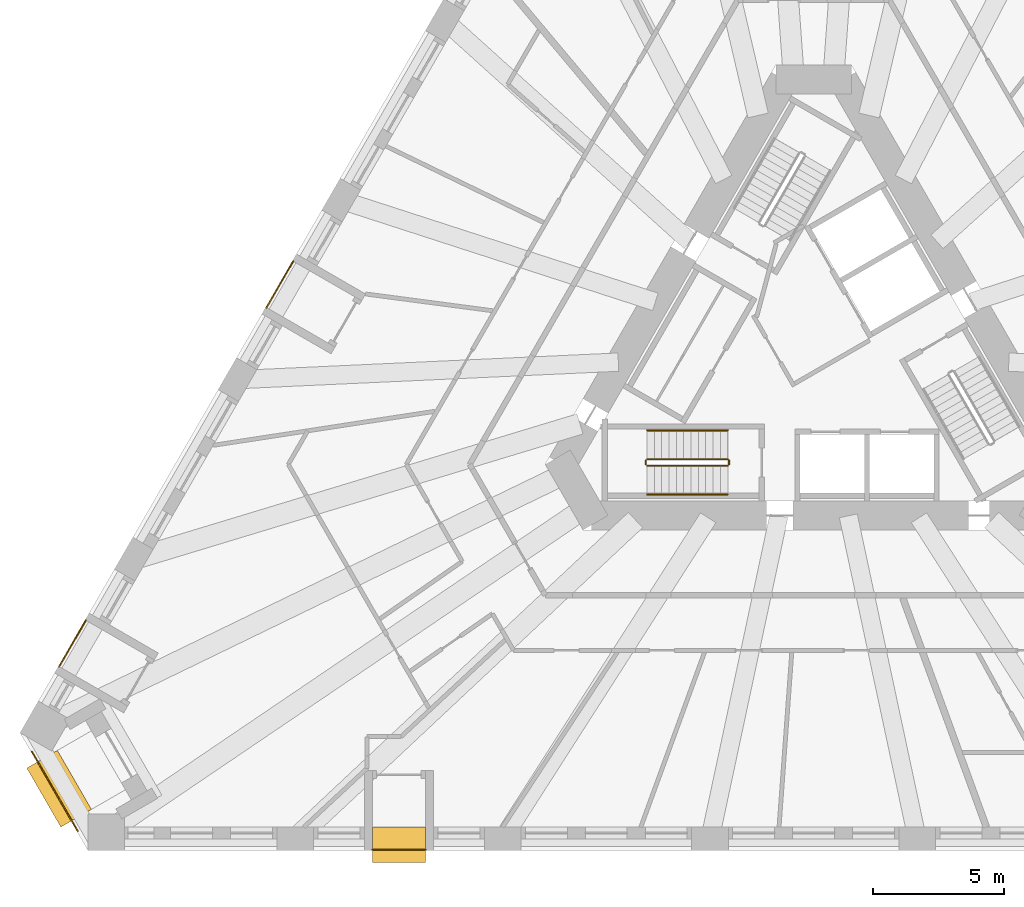
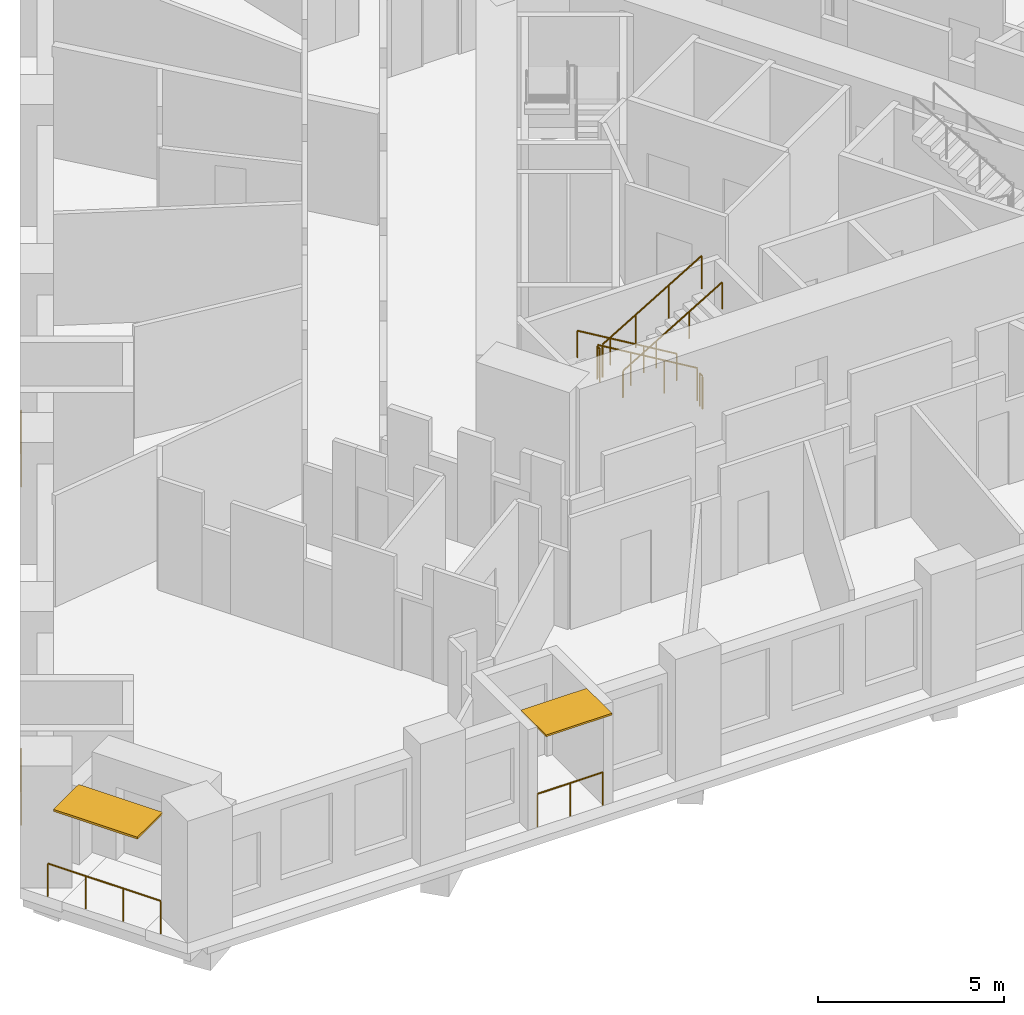
# One storey, part 11 of 14: 10 railings, 2 shading devices.
"""IFC4 building model written with IfcOpenShell, lengths in metres."""

from ifc_helpers import new_model, si_unit, direction, frame, origin, origin_2d, place, context, subcontext, project, spatial, rectangle, circle, extrude, material, layer, layer_set, type_object, element, save


model = new_model("IFC4")

# Units and contexts
model_context = context("Model", 3, precision=1e-05, world=origin(), true_north=direction((0.0, 1.0)))
body_context = subcontext(model_context, "Body", "Model", "MODEL_VIEW")
ifc_project = project(units=[si_unit("LENGTHUNIT", "METRE"), si_unit("AREAUNIT", "SQUARE_METRE"), si_unit("VOLUMEUNIT", "CUBIC_METRE"), si_unit("PLANEANGLEUNIT", "RADIAN"), si_unit("MASSUNIT", "GRAM", prefix="KILO")], contexts=[model_context])

# Site, building, storey
site_placement = place(None, origin())
site = spatial("IfcSite", under=ifc_project, at=site_placement, CompositionType="ELEMENT")
building_placement = place(site_placement, origin())
building = spatial("IfcBuilding", under=site, at=building_placement, Name="Tramontana Tower", CompositionType="ELEMENT")
storey_placement = place(building_placement, frame((0.0, 0.0, 42.0)))
storey = spatial("IfcBuildingStorey", under=building, at=storey_placement, Name="L08", CompositionType="ELEMENT", Elevation=42.0)

# Railings
ifc_material_1 = material(Name="Laminated glass balustrade", Category="glass")
railing_type_1 = type_object("IfcRailingType", Name="GD1 Loggia glass balustrade 1100", PredefinedType="BALUSTRADE", material=ifc_material_1)
for number, where, name in (
    (1, (-19.877685546875, 3.510986328125, 0.0), "Loggia balustrade L08 G0S0.13"),
    (2, (-27.795654296875, -10.203369140625, 0.0), "Loggia balustrade L08 G0S0.19"),
):
    element("IfcRailing", number, at=place(storey_placement, frame(where)), inside=storey, type_object=railing_type_1, Name=name, PredefinedType="BALUSTRADE", context=body_context, shape_type="SweptSolid", body=[
        extrude(circle(Radius=0.02392578125, at=origin_2d()), frame((0.0, 0.0, 1.076171875), z_axis=(-0.499950448838, -0.866054010271, 0.0), x_axis=(0.866054010271, -0.499950448838, 0.0)), (0.0, 0.0, 1.0), 2.039306640625),
        extrude(circle(Radius=0.02099609375, at=origin_2d()), origin(), (0.0, 0.0, 1.0), 1.052001953125),
        extrude(circle(Radius=0.02099609375, at=origin_2d()), frame((-0.509765625, -0.883056640625, 0.0)), (0.0, 0.0, 1.0), 1.052001953125),
        extrude(circle(Radius=0.02099609375, at=origin_2d()), frame((-1.01953125, -1.76611328125, 0.0)), (0.0, 0.0, 1.0), 1.052001953125),
    ])
railing_1_placement = place(storey_placement, frame((-16.85546875, -18.969970703125, 0.0)))
element("IfcRailing", 3, at=railing_1_placement, inside=storey, type_object=railing_type_1, Name="Loggia balustrade L08 G0S1.4", PredefinedType="BALUSTRADE", context=body_context, shape_type="SweptSolid", body=[
    extrude(circle(Radius=0.02392578125, at=origin_2d()), frame((0.0, 0.0, 1.076171875), z_axis=(1.0, 0.0, 0.0), x_axis=(0.0, 1.0, 0.0)), (0.0, 0.0, 1.0), 2.039306640625),
    extrude(circle(Radius=0.02099609375, at=origin_2d()), origin(), (0.0, 0.0, 1.0), 1.052001953125),
    extrude(circle(Radius=0.02099609375, at=origin_2d()), frame((1.01953125, 0.0, 0.0)), (0.0, 0.0, 1.0), 1.052001953125),
    extrude(circle(Radius=0.02099609375, at=origin_2d()), frame((2.039306640625, 0.0, 0.0)), (0.0, 0.0, 1.0), 1.052001953125),
])
railing_2_placement = place(storey_placement, frame((-28.11083984375, -18.25048828125, 0.0)))
element("IfcRailing", 4, at=railing_2_placement, inside=storey, type_object=railing_type_1, Name="Corner loggia balustrade L08 K01", PredefinedType="BALUSTRADE", context=body_context, shape_type="SweptSolid", body=[
    extrude(circle(Radius=0.02392578125, at=origin_2d()), frame((0.0, 0.0, 1.076171875), z_axis=(-0.500010275428, 0.866019471182, 0.0), x_axis=(-0.866019471182, -0.500010275428, 0.0)), (0.0, 0.0, 1.0), 3.5),
    extrude(circle(Radius=0.02099609375, at=origin_2d()), origin(), (0.0, 0.0, 1.0), 1.052001953125),
    extrude(circle(Radius=0.02099609375, at=origin_2d()), frame((-0.583251953125, 1.01025390625, 0.0)), (0.0, 0.0, 1.0), 1.052001953125),
    extrude(circle(Radius=0.02099609375, at=origin_2d()), frame((-1.166748046875, 2.020751953125, 0.0)), (0.0, 0.0, 1.0), 1.052001953125),
    extrude(circle(Radius=0.02099609375, at=origin_2d()), frame((-1.75, 3.031005859375, 0.0)), (0.0, 0.0, 1.0), 1.052001953125),
])

# Shading devices
ifc_material_2 = material(Name="Precast concrete 60 MPa", Category="concrete")
ifc_layer_1 = layer(ifc_material_2, 0.06005859375)
ifc_layer_set_1 = layer_set([ifc_layer_1], Name="SS1 Stone sunshade blade 60")
shading_device_type_1 = type_object("IfcShadingDeviceType", Name="SS1 Stone sunshade blade 60", PredefinedType="USERDEFINED", material=ifc_layer_set_1)
shading_device_1_placement = place(storey_placement, frame((-15.8359375, -18.77490234375, 3.239990234375), z_axis=(0.0, 0.0, 1.0), x_axis=(1.0, 0.0, 0.0)))
element("IfcShadingDevice", 5, at=shading_device_1_placement, inside=storey, type_object=shading_device_type_1, Name="Sunshade L08 G0S1.4", ObjectType="SUNSHADE", PredefinedType="USERDEFINED", context=body_context, shape_type="SweptSolid", body=[
    extrude(rectangle(XDim=2.039306640625, YDim=1.35009765625, at=origin_2d()), origin(), (0.0, 0.0, 1.0), 0.06005859375),
])
ifc_material_3 = material(Name="Precast concrete 60 MPa", Category="concrete")
ifc_layer_2 = layer(ifc_material_3, 0.070068359375)
ifc_layer_set_2 = layer_set([ifc_layer_2], Name="SS2 Stone sunshade blade 70")
shading_device_type_2 = type_object("IfcShadingDeviceType", Name="SS2 Stone sunshade blade 70", PredefinedType="USERDEFINED", material=ifc_layer_set_2)
shading_device_2_placement = place(storey_placement, frame((-28.81689453125, -16.637451171875, 3.22998046875), z_axis=(0.0, 0.0, 1.0), x_axis=(-0.5, 0.866025403784, 0.0)))
element("IfcShadingDevice", 6, at=shading_device_2_placement, inside=storey, type_object=shading_device_type_2, Name="Corner sunshade L08 K01", ObjectType="SUNSHADE", PredefinedType="USERDEFINED", context=body_context, shape_type="SweptSolid", body=[
    extrude(rectangle(XDim=2.60009765625, YDim=1.35009765625, at=origin_2d()), origin(), (0.0, 0.0, 1.0), 0.070068359375),
])

# Railings
ifc_material_4 = material(Name="Painted steel", Category="steel")
railing_type_2 = type_object("IfcRailingType", Name="STAIR GUARD 1100", PredefinedType="GUARDRAIL", material=ifc_material_4)
railing_3_placement = place(storey_placement, frame((-3.280029296875, -4.050048828125, 0.166748046875)))
element("IfcRailing", 7, at=railing_3_placement, inside=storey, type_object=railing_type_2, Name="L08 ST2 stair guard 1", PredefinedType="GUARDRAIL", context=body_context, shape_type="SweptSolid", body=[
    extrude(circle(Radius=0.02392578125, at=origin_2d()), frame((0.0, 0.0, 1.076171875), z_axis=(-0.859308565015, 0.0, 0.511457515432), x_axis=(0.0, -1.0, 0.0)), (0.0, 0.0, 1.0), 3.58447265625),
    extrude(circle(Radius=0.02099609375, at=origin_2d()), origin(), (0.0, 0.0, 1.0), 1.052001953125),
    extrude(circle(Radius=0.02099609375, at=origin_2d()), frame((-1.026611328125, 0.0, 0.611083984375)), (0.0, 0.0, 1.0), 1.052001953125),
    extrude(circle(Radius=0.02099609375, at=origin_2d()), frame((-2.053466796875, 0.0, 1.22216796875)), (0.0, 0.0, 1.0), 1.052001953125),
    extrude(circle(Radius=0.02099609375, at=origin_2d()), frame((-3.080078125, 0.0, 1.833251953125)), (0.0, 0.0, 1.0), 1.052001953125),
])
railing_4_placement = place(storey_placement, frame((-6.360107421875, -4.300048828125, 2.166748046875)))
element("IfcRailing", 8, at=railing_4_placement, inside=storey, type_object=railing_type_2, Name="L08 ST2 stair guard 2", PredefinedType="GUARDRAIL", context=body_context, shape_type="SweptSolid", body=[
    extrude(circle(Radius=0.02392578125, at=origin_2d()), frame((0.0, 0.0, 1.076171875), z_axis=(0.859308565015, 0.0, 0.511457515432), x_axis=(0.0, 1.0, 0.0)), (0.0, 0.0, 1.0), 3.58447265625),
    extrude(circle(Radius=0.02099609375, at=origin_2d()), origin(), (0.0, 0.0, 1.0), 1.052001953125),
    extrude(circle(Radius=0.02099609375, at=origin_2d()), frame((1.026611328125, 0.0, 0.611083984375)), (0.0, 0.0, 1.0), 1.052001953125),
    extrude(circle(Radius=0.02099609375, at=origin_2d()), frame((2.053466796875, 0.0, 1.22216796875)), (0.0, 0.0, 1.0), 1.052001953125),
    extrude(circle(Radius=0.02099609375, at=origin_2d()), frame((3.080078125, 0.0, 1.833251953125)), (0.0, 0.0, 1.0), 1.052001953125),
])
for number, where, name in (
    (9, (-6.409912109375, -4.10009765625, 2.0), "L08 ST2 stair guard 3"),
    (10, (-3.22998046875, -4.10009765625, 0.0), "L08 ST2 stair guard 4"),
):
    element("IfcRailing", number, at=place(storey_placement, frame(where)), inside=storey, type_object=railing_type_2, Name=name, PredefinedType="GUARDRAIL", context=body_context, shape_type="SweptSolid", body=[
        extrude(circle(Radius=0.02392578125, at=origin_2d()), frame((0.0, 0.0, 1.076171875), z_axis=(0.0, -1.0, 0.0), x_axis=(1.0, 0.0, 0.0)), (0.0, 0.0, 1.0), 0.14990234375),
        extrude(circle(Radius=0.02099609375, at=origin_2d()), origin(), (0.0, 0.0, 1.0), 1.052001953125),
        extrude(circle(Radius=0.02099609375, at=origin_2d()), frame((0.0, -0.14990234375, 0.0)), (0.0, 0.0, 1.0), 1.052001953125),
    ])
ifc_material_5 = material(Name="Painted steel", Category="steel")
railing_type_3 = type_object("IfcRailingType", Name="STAIR HANDRAIL 900", PredefinedType="HANDRAIL", material=ifc_material_5)
railing_5_placement = place(storey_placement, frame((-3.280029296875, -2.949951171875, 0.166748046875)))
element("IfcRailing", 11, at=railing_5_placement, inside=storey, type_object=railing_type_3, Name="L08 ST2 stair handrail 1", PredefinedType="HANDRAIL", context=body_context, shape_type="SweptSolid", body=[
    extrude(circle(Radius=0.02392578125, at=origin_2d()), frame((0.0, 0.0, 0.8759765625), z_axis=(-0.859308565015, 0.0, 0.511457515432), x_axis=(0.0, -1.0, 0.0)), (0.0, 0.0, 1.0), 3.58447265625),
    extrude(circle(Radius=0.02099609375, at=origin_2d()), origin(), (0.0, 0.0, 1.0), 0.851806640625),
    extrude(circle(Radius=0.02099609375, at=origin_2d()), frame((-1.026611328125, 0.0, 0.611083984375)), (0.0, 0.0, 1.0), 0.851806640625),
    extrude(circle(Radius=0.02099609375, at=origin_2d()), frame((-2.053466796875, 0.0, 1.22216796875)), (0.0, 0.0, 1.0), 0.851806640625),
    extrude(circle(Radius=0.02099609375, at=origin_2d()), frame((-3.080078125, 0.0, 1.833251953125)), (0.0, 0.0, 1.0), 0.851806640625),
])
railing_6_placement = place(storey_placement, frame((-6.360107421875, -5.39990234375, 2.166748046875)))
element("IfcRailing", 12, at=railing_6_placement, inside=storey, type_object=railing_type_3, Name="L08 ST2 stair handrail 2", PredefinedType="HANDRAIL", context=body_context, shape_type="SweptSolid", body=[
    extrude(circle(Radius=0.02392578125, at=origin_2d()), frame((0.0, 0.0, 0.8759765625), z_axis=(0.859308565015, 0.0, 0.511457515432), x_axis=(0.0, 1.0, 0.0)), (0.0, 0.0, 1.0), 3.58447265625),
    extrude(circle(Radius=0.02099609375, at=origin_2d()), origin(), (0.0, 0.0, 1.0), 0.851806640625),
    extrude(circle(Radius=0.02099609375, at=origin_2d()), frame((1.026611328125, 0.0, 0.611083984375)), (0.0, 0.0, 1.0), 0.851806640625),
    extrude(circle(Radius=0.02099609375, at=origin_2d()), frame((2.053466796875, 0.0, 1.22216796875)), (0.0, 0.0, 1.0), 0.851806640625),
    extrude(circle(Radius=0.02099609375, at=origin_2d()), frame((3.080078125, 0.0, 1.833251953125)), (0.0, 0.0, 1.0), 0.851806640625),
])

save(model, "model.ifc")
